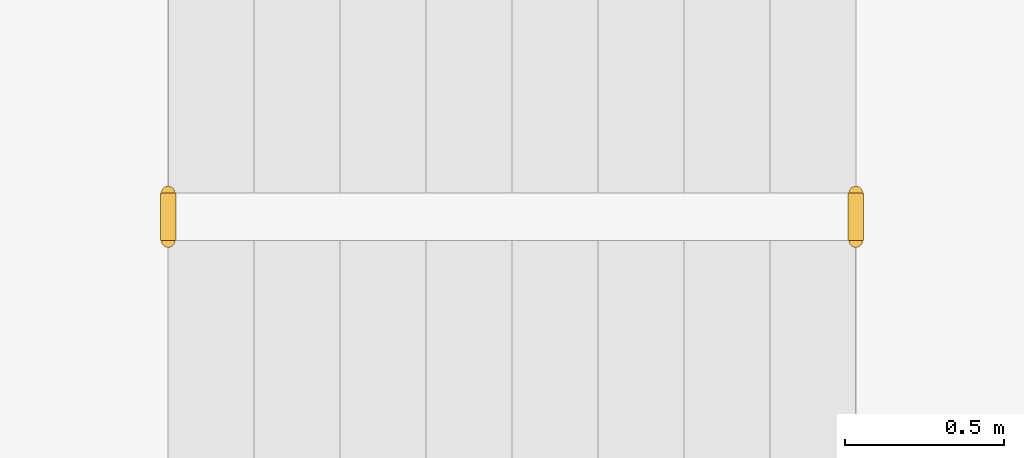
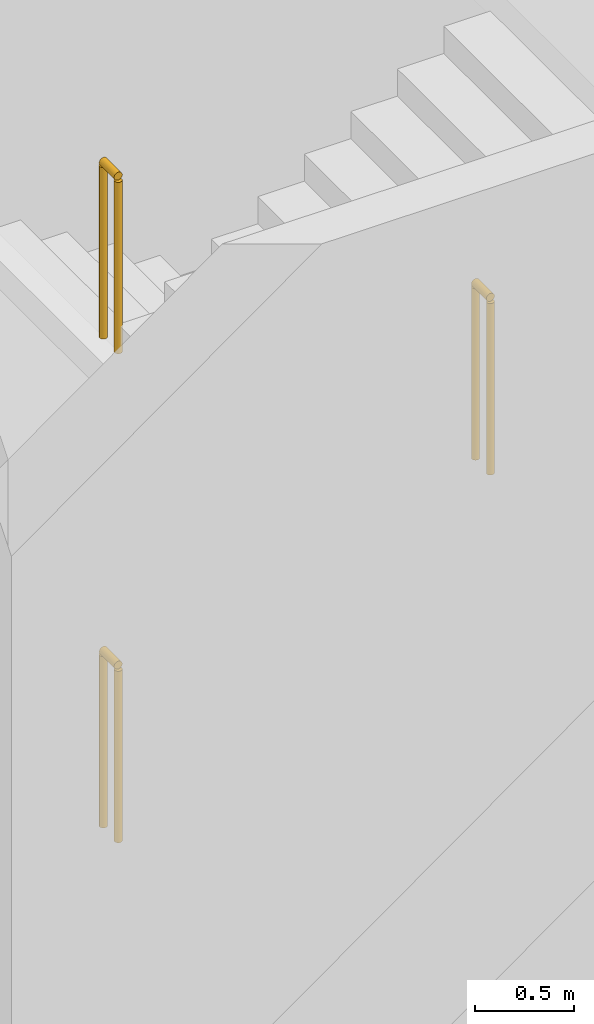
# One storey, part 18 of 28: 3 railings.
"""IFC4 building model written with IfcOpenShell, lengths in metres."""

from ifc_helpers import new_model, si_unit, direction, frame, origin, origin_2d, place, context, subcontext, project, spatial, circle, extrude, material, type_object, element, save


model = new_model("IFC4")

# Units and contexts
model_context = context("Model", 3, precision=1e-05, world=origin(), true_north=direction((0.0, 1.0)))
body_context = subcontext(model_context, "Body", "Model", "MODEL_VIEW")
ifc_project = project(units=[si_unit("LENGTHUNIT", "METRE"), si_unit("AREAUNIT", "SQUARE_METRE"), si_unit("VOLUMEUNIT", "CUBIC_METRE"), si_unit("PLANEANGLEUNIT", "RADIAN"), si_unit("MASSUNIT", "GRAM", prefix="KILO")], contexts=[model_context])

# Site, building, storey
site_placement = place(None, origin())
site = spatial("IfcSite", under=ifc_project, at=site_placement, CompositionType="ELEMENT")
building_placement = place(site_placement, origin())
building = spatial("IfcBuilding", under=site, at=building_placement, Name="Isbrekke Arena Tower", CompositionType="ELEMENT")
storey_placement = place(building_placement, origin())
storey = spatial("IfcBuildingStorey", under=building, at=storey_placement, Name="L00", CompositionType="ELEMENT", Elevation=0.0)

# Railings
ifc_material = material(Name="Steel stair guard, vertical bars, steel handrail", Category="steel")
railing_type = type_object("IfcRailingType", Name="GR3 STAIR WELL GUARD 1100", PredefinedType="GUARDRAIL", material=ifc_material)
for number, where, name in (
    (1, (2.514892578125, -70.02490234375, 1.5), "GR3 stair well guard P5 L00"),
    (2, (4.675048828125, -70.02490234375, 3.0), "GR3 stair well guard P5 L00"),
    (3, (2.514892578125, -70.02490234375, 4.5), "GR3 stair well guard P5 L00"),
):
    element("IfcRailing", number, at=place(storey_placement, frame(where)), inside=storey, type_object=railing_type, Name=name, PredefinedType="GUARDRAIL", context=body_context, shape_type="SweptSolid", body=[
        extrude(circle(Radius=0.02392578125, at=origin_2d()), frame((0.0, 0.0, 1.076171875), z_axis=(0.0, -1.0, 0.0), x_axis=(1.0, 0.0, 0.0)), (0.0, 0.0, 1.0), 0.150146484375),
        extrude(circle(Radius=0.02099609375, at=origin_2d()), origin(), (0.0, 0.0, 1.0), 1.052001953125),
        extrude(circle(Radius=0.02099609375, at=origin_2d()), frame((0.0, -0.150146484375, 0.0)), (0.0, 0.0, 1.0), 1.052001953125),
    ])

save(model, "model.ifc")
